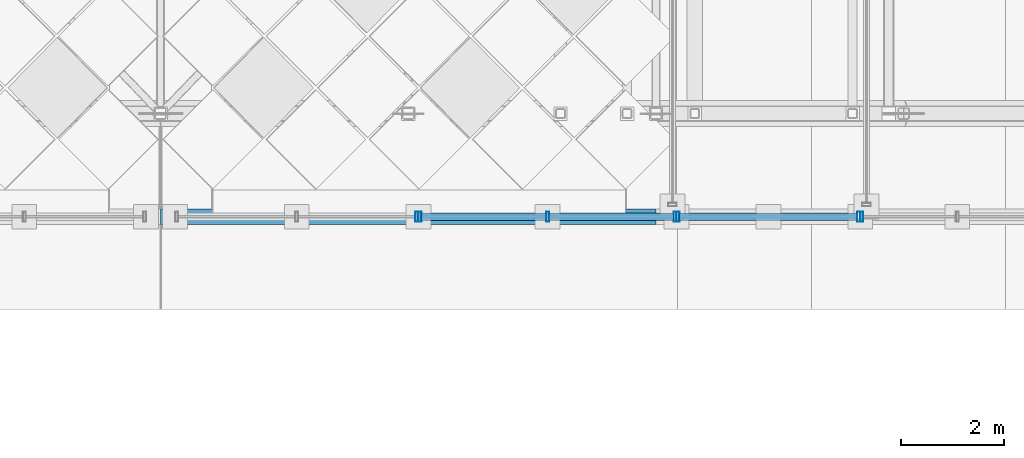
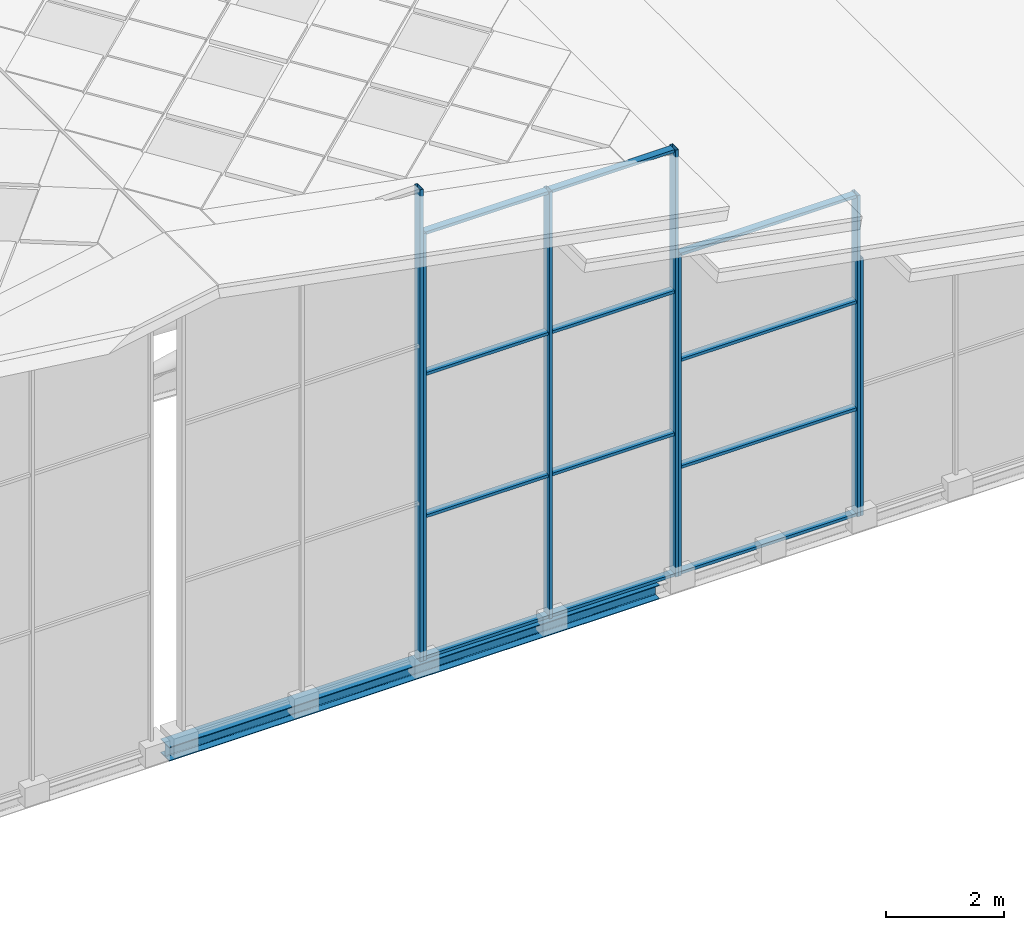
# One storey, part 7 of 117: 19 members, 1 beam, 4 elements without a shape of their own.
"""IFC4 building model written with IfcOpenShell, lengths in metres."""

from ifc_helpers import new_model, si_unit, direction, frame, origin, origin_2d, place, context, subcontext, project, spatial, hollow_rectangle, i_section, extrude, material, material_profile, profile_set, type_object, element, aggregate, save


model = new_model("IFC4")

# Units and contexts
model_context = context("Model", 3, precision=1e-05, world=origin(), true_north=direction((0.0, 1.0)))
body_context = subcontext(model_context, "Body", "Model", "MODEL_VIEW")
ifc_project = project(units=[si_unit("LENGTHUNIT", "METRE"), si_unit("AREAUNIT", "SQUARE_METRE"), si_unit("VOLUMEUNIT", "CUBIC_METRE"), si_unit("PLANEANGLEUNIT", "RADIAN"), si_unit("MASSUNIT", "GRAM", prefix="KILO")], contexts=[model_context])

# Site, building, storey
site_placement = place(None, origin())
site = spatial("IfcSite", under=ifc_project, at=site_placement, CompositionType="ELEMENT")
building_placement = place(site_placement, origin())
building = spatial("IfcBuilding", under=site, at=building_placement, Name="Merenkruunu Market Hall", CompositionType="ELEMENT")
storey_placement = place(building_placement, frame((0.0, 0.0, 22.800048828125)))
storey = spatial("IfcBuildingStorey", under=building, at=storey_placement, Name="RF", CompositionType="ELEMENT", Elevation=22.800048828125)

# Curtain wall, member
ifc_material_1 = material(Name="Powder-coated aluminium", Category="aluminium")
curtain_wall_type_1 = type_object("IfcCurtainWallType", Name="Glazed Curtain Wall CW18", PredefinedType="USERDEFINED", material=ifc_material_1)
curtain_wall_1_placement = place(storey_placement, origin())
curtain_wall_1 = element("IfcCurtainWall", 1, at=curtain_wall_1_placement, inside=storey, type_object=curtain_wall_type_1, Name="CW-RF-CWM03-044", ObjectType="GLAZED_FACADE", PredefinedType="USERDEFINED")
ifc_material_profile_1 = material_profile(ifc_material_1, hollow_rectangle(XDim=0.06005859375, YDim=0.199951171875, WallThickness=0.0048828125, at=origin_2d()), Name="ALU 60x200x5")
ifc_profile_set_1 = profile_set([ifc_material_profile_1], Name="Powder-coated aluminium")
member_type_1 = type_object("IfcMemberType", Name="Curtain Wall Mullion CWM03", PredefinedType="MULLION", material=ifc_profile_set_1)
member_1_placement = place(storey_placement, frame((33.77001953125, 15.60009765625, -8.68994140625), z_axis=(0.0, 0.0, 1.0), x_axis=(-1.0, 0.0, 0.0)))
member_1 = element("IfcMember", 2, at=member_1_placement, type_object=member_type_1, Name="CW18 mullion 1", PredefinedType="MULLION", context=body_context, shape_type="SweptSolid", body=[
    extrude(hollow_rectangle(XDim=0.06005859375, YDim=0.199951171875, WallThickness=0.0048828125, at=origin_2d()), origin(), (0.0, 0.0, 1.0), 9.769775390625),
])
aggregate(curtain_wall_1, [member_1])

# Curtain wall, members
curtain_wall_2_placement = place(storey_placement, origin())
curtain_wall_2 = element("IfcCurtainWall", 3, at=curtain_wall_2_placement, inside=storey, type_object=curtain_wall_type_1, Name="CW-RF-CWM03-045", ObjectType="GLAZED_FACADE", PredefinedType="USERDEFINED")
member_2_placement = place(storey_placement, frame((38.77001953125, 15.60009765625, -8.68994140625), z_axis=(0.0, 0.0, 1.0), x_axis=(-1.0, 0.0, 0.0)))
member_2 = element("IfcMember", 4, at=member_2_placement, type_object=member_type_1, Name="CW18 mullion 1", PredefinedType="MULLION", context=body_context, shape_type="SweptSolid", body=[
    extrude(hollow_rectangle(XDim=0.06005859375, YDim=0.199951171875, WallThickness=0.0048828125, at=origin_2d()), origin(), (0.0, 0.0, 1.0), 8.83984375),
])
member_3_placement = place(storey_placement, frame((36.300048828125, 15.60009765625, -8.68994140625), z_axis=(0.0, 0.0, 1.0), x_axis=(-1.0, 0.0, 0.0)))
member_3 = element("IfcMember", 5, at=member_3_placement, type_object=member_type_1, Name="CW18 mullion 2", PredefinedType="MULLION", context=body_context, shape_type="SweptSolid", body=[
    extrude(hollow_rectangle(XDim=0.06005859375, YDim=0.199951171875, WallThickness=0.0048828125, at=origin_2d()), origin(), (0.0, 0.0, 1.0), 8.83984375),
])
member_4_placement = place(storey_placement, frame((33.830078125, 15.60009765625, -8.68994140625), z_axis=(0.0, 0.0, 1.0), x_axis=(-1.0, 0.0, 0.0)))
member_4 = element("IfcMember", 6, at=member_4_placement, type_object=member_type_1, Name="CW18 mullion 3", PredefinedType="MULLION", context=body_context, shape_type="SweptSolid", body=[
    extrude(hollow_rectangle(XDim=0.06005859375, YDim=0.199951171875, WallThickness=0.0048828125, at=origin_2d()), origin(), (0.0, 0.0, 1.0), 8.83984375),
])

curtain_wall_3_placement = place(storey_placement, origin())
curtain_wall_3 = element("IfcCurtainWall", 7, at=curtain_wall_3_placement, inside=storey, type_object=curtain_wall_type_1, Name="CW-RF-CWM03-046", ObjectType="GLAZED_FACADE", PredefinedType="USERDEFINED")
member_5_placement = place(storey_placement, frame((42.330078125, 15.60009765625, -8.68994140625), z_axis=(0.0, 0.0, 1.0), x_axis=(-1.0, 0.0, 0.0)))
member_5 = element("IfcMember", 8, at=member_5_placement, type_object=member_type_1, Name="CW18 mullion 1", PredefinedType="MULLION", context=body_context, shape_type="SweptSolid", body=[
    extrude(hollow_rectangle(XDim=0.06005859375, YDim=0.199951171875, WallThickness=0.0048828125, at=origin_2d()), origin(), (0.0, 0.0, 1.0), 6.64990234375),
])
member_6_placement = place(storey_placement, frame((38.830078125, 15.60009765625, -8.68994140625), z_axis=(0.0, 0.0, 1.0), x_axis=(-1.0, 0.0, 0.0)))
member_6 = element("IfcMember", 9, at=member_6_placement, type_object=member_type_1, Name="CW18 mullion 2", PredefinedType="MULLION", context=body_context, shape_type="SweptSolid", body=[
    extrude(hollow_rectangle(XDim=0.06005859375, YDim=0.199951171875, WallThickness=0.0048828125, at=origin_2d()), origin(), (0.0, 0.0, 1.0), 6.64990234375),
])

# Curtain wall, member
curtain_wall_type_2 = type_object("IfcCurtainWallType", Name="Glazed Curtain Wall CW17", PredefinedType="USERDEFINED", material=ifc_material_1)
curtain_wall_4_placement = place(storey_placement, origin())
curtain_wall_4 = element("IfcCurtainWall", 10, at=curtain_wall_4_placement, inside=storey, type_object=curtain_wall_type_2, Name="CW-RF-CWM03-047", ObjectType="GLAZED_FACADE", PredefinedType="USERDEFINED")
member_7_placement = place(storey_placement, frame((42.389892578125, 15.60009765625, -8.68994140625), z_axis=(0.0, 0.0, 1.0), x_axis=(-1.0, 0.0, 0.0)))
member_7 = element("IfcMember", 11, at=member_7_placement, type_object=member_type_1, Name="CW17 mullion 3", PredefinedType="MULLION", context=body_context, shape_type="SweptSolid", body=[
    extrude(hollow_rectangle(XDim=0.06005859375, YDim=0.199951171875, WallThickness=0.0048828125, at=origin_2d()), origin(), (0.0, 0.0, 1.0), 5.329833984375),
])
aggregate(curtain_wall_4, [member_7])

# Member
ifc_material_profile_2 = material_profile(ifc_material_1, hollow_rectangle(XDim=0.06005859375, YDim=0.139892578125, WallThickness=0.00390625, at=origin_2d()), Name="ALU 60x140x4")
ifc_profile_set_2 = profile_set([ifc_material_profile_2], Name="Powder-coated aluminium")
member_type_2 = type_object("IfcMemberType", Name="Curtain Wall Transom CWT02", PredefinedType="USERDEFINED", material=ifc_profile_set_2)
member_8_placement = place(storey_placement, frame((38.739990234375, 15.60009765625, -8.66015625), z_axis=(-1.0, 0.0, 0.0), x_axis=(0.0, 0.0, 1.0)))
member_8 = element("IfcMember", 12, at=member_8_placement, type_object=member_type_2, Name="CW18 transom 1.1", ObjectType="TRANSOM", PredefinedType="USERDEFINED", context=body_context, shape_type="SweptSolid", body=[
    extrude(hollow_rectangle(XDim=0.06005859375, YDim=0.139892578125, WallThickness=0.00390625, at=origin_2d()), origin(), (0.0, 0.0, 1.0), 2.409912109375),
])

member_9_placement = place(storey_placement, frame((38.739990234375, 15.60009765625, -5.7431640625), z_axis=(-1.0, 0.0, 0.0), x_axis=(0.0, 0.0, 1.0)))
member_9 = element("IfcMember", 13, at=member_9_placement, type_object=member_type_2, Name="CW18 transom 1.2", ObjectType="TRANSOM", PredefinedType="USERDEFINED", context=body_context, shape_type="SweptSolid", body=[
    extrude(hollow_rectangle(XDim=0.06005859375, YDim=0.139892578125, WallThickness=0.00390625, at=origin_2d()), origin(), (0.0, 0.0, 1.0), 2.409912109375),
])

member_10_placement = place(storey_placement, frame((38.739990234375, 15.60009765625, -2.797119140625), z_axis=(-1.0, 0.0, 0.0), x_axis=(0.0, 0.0, 1.0)))
member_10 = element("IfcMember", 14, at=member_10_placement, type_object=member_type_2, Name="CW18 transom 1.3", ObjectType="TRANSOM", PredefinedType="USERDEFINED", context=body_context, shape_type="SweptSolid", body=[
    extrude(hollow_rectangle(XDim=0.06005859375, YDim=0.139892578125, WallThickness=0.00390625, at=origin_2d()), origin(), (0.0, 0.0, 1.0), 2.409912109375),
])

member_11_placement = place(storey_placement, frame((38.739990234375, 15.60009765625, 0.119873046875), z_axis=(-1.0, 0.0, 0.0), x_axis=(0.0, 0.0, 1.0)))
member_11 = element("IfcMember", 15, at=member_11_placement, type_object=member_type_2, Name="CW18 transom 1.4", ObjectType="TRANSOM", PredefinedType="USERDEFINED", context=body_context, shape_type="SweptSolid", body=[
    extrude(hollow_rectangle(XDim=0.06005859375, YDim=0.139892578125, WallThickness=0.00390625, at=origin_2d()), origin(), (0.0, 0.0, 1.0), 2.409912109375),
])

member_12_placement = place(storey_placement, frame((36.27001953125, 15.60009765625, -8.66015625), z_axis=(-1.0, 0.0, 0.0), x_axis=(0.0, 0.0, 1.0)))
member_12 = element("IfcMember", 16, at=member_12_placement, type_object=member_type_2, Name="CW18 transom 2.1", ObjectType="TRANSOM", PredefinedType="USERDEFINED", context=body_context, shape_type="SweptSolid", body=[
    extrude(hollow_rectangle(XDim=0.06005859375, YDim=0.139892578125, WallThickness=0.00390625, at=origin_2d()), origin(), (0.0, 0.0, 1.0), 2.409912109375),
])

member_13_placement = place(storey_placement, frame((36.27001953125, 15.60009765625, -5.7431640625), z_axis=(-1.0, 0.0, 0.0), x_axis=(0.0, 0.0, 1.0)))
member_13 = element("IfcMember", 17, at=member_13_placement, type_object=member_type_2, Name="CW18 transom 2.2", ObjectType="TRANSOM", PredefinedType="USERDEFINED", context=body_context, shape_type="SweptSolid", body=[
    extrude(hollow_rectangle(XDim=0.06005859375, YDim=0.139892578125, WallThickness=0.00390625, at=origin_2d()), origin(), (0.0, 0.0, 1.0), 2.409912109375),
])

member_14_placement = place(storey_placement, frame((36.27001953125, 15.60009765625, -2.797119140625), z_axis=(-1.0, 0.0, 0.0), x_axis=(0.0, 0.0, 1.0)))
member_14 = element("IfcMember", 18, at=member_14_placement, type_object=member_type_2, Name="CW18 transom 2.3", ObjectType="TRANSOM", PredefinedType="USERDEFINED", context=body_context, shape_type="SweptSolid", body=[
    extrude(hollow_rectangle(XDim=0.06005859375, YDim=0.139892578125, WallThickness=0.00390625, at=origin_2d()), origin(), (0.0, 0.0, 1.0), 2.409912109375),
])

member_15_placement = place(storey_placement, frame((36.27001953125, 15.60009765625, 0.119873046875), z_axis=(-1.0, 0.0, 0.0), x_axis=(0.0, 0.0, 1.0)))
member_15 = element("IfcMember", 19, at=member_15_placement, type_object=member_type_2, Name="CW18 transom 2.4", ObjectType="TRANSOM", PredefinedType="USERDEFINED", context=body_context, shape_type="SweptSolid", body=[
    extrude(hollow_rectangle(XDim=0.06005859375, YDim=0.139892578125, WallThickness=0.00390625, at=origin_2d()), origin(), (0.0, 0.0, 1.0), 2.409912109375),
])

aggregate(curtain_wall_2, [member_2, member_3, member_4, member_8, member_9, member_10, member_11, member_12, member_13, member_14, member_15])

member_16_placement = place(storey_placement, frame((42.300048828125, 15.60009765625, -8.66015625), z_axis=(-1.0, 0.0, 0.0), x_axis=(0.0, 0.0, 1.0)))
member_16 = element("IfcMember", 20, at=member_16_placement, type_object=member_type_2, Name="CW18 transom 1.1", ObjectType="TRANSOM", PredefinedType="USERDEFINED", context=body_context, shape_type="SweptSolid", body=[
    extrude(hollow_rectangle(XDim=0.06005859375, YDim=0.139892578125, WallThickness=0.00390625, at=origin_2d()), origin(), (0.0, 0.0, 1.0), 3.43994140625),
])

member_17_placement = place(storey_placement, frame((42.300048828125, 15.60009765625, -6.47314453125), z_axis=(-1.0, 0.0, 0.0), x_axis=(0.0, 0.0, 1.0)))
member_17 = element("IfcMember", 21, at=member_17_placement, type_object=member_type_2, Name="CW18 transom 1.2", ObjectType="TRANSOM", PredefinedType="USERDEFINED", context=body_context, shape_type="SweptSolid", body=[
    extrude(hollow_rectangle(XDim=0.06005859375, YDim=0.139892578125, WallThickness=0.00390625, at=origin_2d()), origin(), (0.0, 0.0, 1.0), 3.43994140625),
])

member_18_placement = place(storey_placement, frame((42.300048828125, 15.60009765625, -4.257080078125), z_axis=(-1.0, 0.0, 0.0), x_axis=(0.0, 0.0, 1.0)))
member_18 = element("IfcMember", 22, at=member_18_placement, type_object=member_type_2, Name="CW18 transom 1.3", ObjectType="TRANSOM", PredefinedType="USERDEFINED", context=body_context, shape_type="SweptSolid", body=[
    extrude(hollow_rectangle(XDim=0.06005859375, YDim=0.139892578125, WallThickness=0.00390625, at=origin_2d()), origin(), (0.0, 0.0, 1.0), 3.43994140625),
])

member_19_placement = place(storey_placement, frame((42.300048828125, 15.60009765625, -2.070068359375), z_axis=(-1.0, 0.0, 0.0), x_axis=(0.0, 0.0, 1.0)))
member_19 = element("IfcMember", 23, at=member_19_placement, type_object=member_type_2, Name="CW18 transom 1.4", ObjectType="TRANSOM", PredefinedType="USERDEFINED", context=body_context, shape_type="SweptSolid", body=[
    extrude(hollow_rectangle(XDim=0.06005859375, YDim=0.139892578125, WallThickness=0.00390625, at=origin_2d()), origin(), (0.0, 0.0, 1.0), 3.43994140625),
])

aggregate(curtain_wall_3, [member_5, member_6, member_16, member_17, member_18, member_19])

# Beam
ifc_material_2 = material(Name="Steel S355J2", Category="steel")
ifc_material_profile_3 = material_profile(ifc_material_2, i_section(OverallWidth=0.300048828125, OverallDepth=0.2900390625, WebThickness=0.008544921875, FlangeThickness=0.013916015625, FilletRadius=0.027099609375, at=origin_2d()), Name="HEA 300")
ifc_profile_set_3 = profile_set([ifc_material_profile_3], Name="Steel S355J2")
beam_type = type_object("IfcBeamType", Name="Primary Floor Girder B09", PredefinedType="BEAM", material=ifc_profile_set_3)
beam_placement = place(storey_placement, frame((28.800048828125, 15.60009765625, -8.844970703125), z_axis=(1.0, 0.0, 0.0), x_axis=(0.0, 1.0, 0.0)))
element("IfcBeam", 24, at=beam_placement, inside=storey, type_object=beam_type, Name="BM-RF-B09-1252", PredefinedType="BEAM", context=body_context, shape_type="SweptSolid", body=[
    extrude(i_section(OverallWidth=0.300048828125, OverallDepth=0.2900390625, WebThickness=0.008544921875, FlangeThickness=0.013916015625, FilletRadius=0.027099609375, at=origin_2d()), origin(), (0.0, 0.0, 1.0), 9.599853515625),
])

save(model, "model.ifc")
